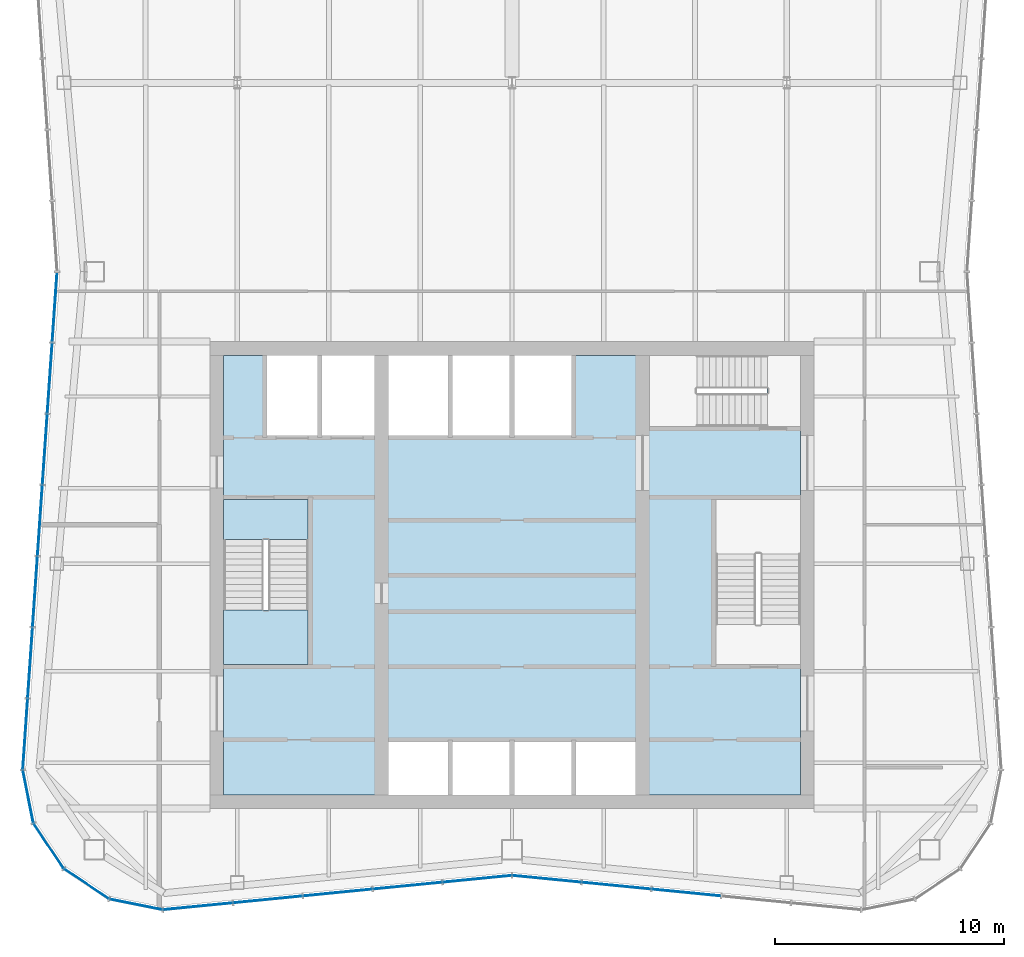
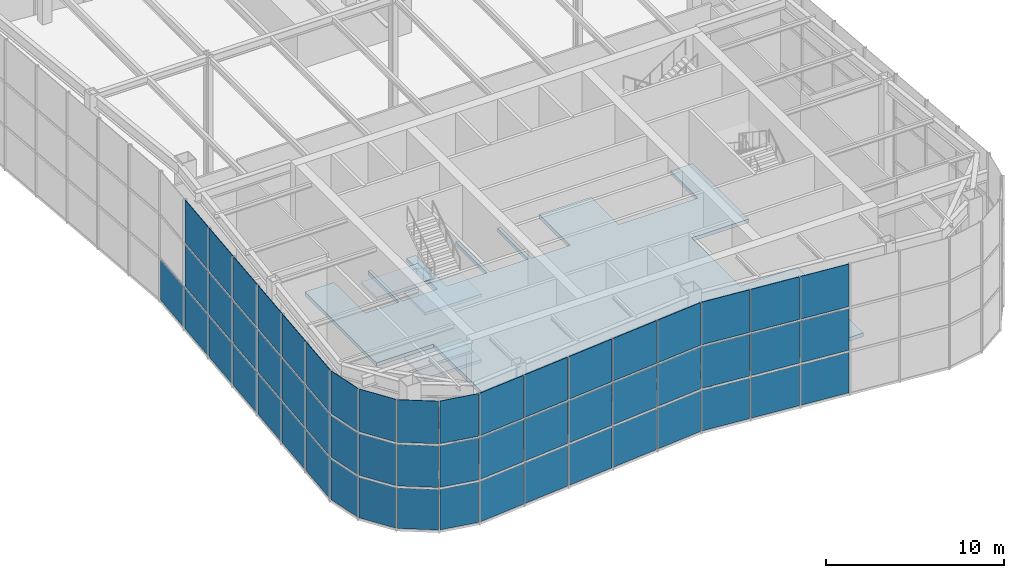
# One storey, part 8 of 16: 55 plates, 4 slabs, 4 elements without a shape of their own.
"""IFC4 building model written with IfcOpenShell, lengths in metres."""

import ifcopenshell
import ifcopenshell.guid

model = None  # the IFC model being written
_history = None  # IfcOwnerHistory: only IFC2X3 demands one
_inside = {}  # id of a spatial element -> (the spatial element, [elements in it])
_under = {}  # id of a project, library or spatial element -> (it, [spatial elements below it])
_declared = {}  # id of a project -> (the project, [libraries it declares])
_typed = {}  # id of a type object -> (the type object, [elements of that type])
_made_of = {}  # id of a material, layer set ... -> (it, [elements and type objects made of it])


def new_model(schema):
    """Start an empty IFC model of exactly this schema.

    Asked for "IFC4X3", IfcOpenShell would pick the latest addendum, in which some entities
    have other attributes; the version numbers below select the first issue.
    IFC2X3 requires an IfcOwnerHistory on every rooted entity: one is made here for all.
    """
    global model, _history
    if schema == "IFC4X3":
        model = ifcopenshell.file(schema_version=(4, 3, 0, 0))
    else:
        model = ifcopenshell.file(schema=schema)
    _inside.clear()
    _under.clear()
    _declared.clear()
    _typed.clear()
    _made_of.clear()
    _history = None
    if model.schema == "IFC2X3":
        org = make("IfcOrganization", Name="unknown")
        user = make(
            "IfcPersonAndOrganization",
            ThePerson=make("IfcPerson", FamilyName="unknown"),
            TheOrganization=org,
        )
        app = make(
            "IfcApplication",
            ApplicationDeveloper=org,
            Version="unknown",
            ApplicationFullName="unknown",
            ApplicationIdentifier="unknown",
        )
        _history = make(
            "IfcOwnerHistory",
            OwningUser=user,
            OwningApplication=app,
            ChangeAction="ADDED",
            CreationDate=0,
        )
    return model


def make(cls, **values):
    """One entity of the class cls with the attributes given. An attribute that is None is left unset."""
    return model.create_entity(
        cls, **{name: value for name, value in values.items() if value is not None}
    )


def rooted(cls, **values):
    """An entity with a GlobalId (a new one), such as an element, a storey or a relation."""
    return make(cls, GlobalId=ifcopenshell.guid.new(), OwnerHistory=_history, **values)


def si_unit(unit_type, name, prefix=None):
    """IfcSIUnit, for example si_unit("LENGTHUNIT", "METRE", prefix="MILLI")."""
    return make("IfcSIUnit", UnitType=unit_type, Prefix=prefix, Name=name)


def assignment(units):
    """IfcUnitAssignment: the units of a project."""
    return None if units is None else make("IfcUnitAssignment", Units=units)


def point(xyz):
    """IfcCartesianPoint."""
    return None if xyz is None else make("IfcCartesianPoint", Coordinates=xyz)


def direction(xyz):
    """IfcDirection."""
    return None if xyz is None else make("IfcDirection", DirectionRatios=xyz)


def frame(location, z_axis=None, x_axis=None):
    """IfcAxis2Placement3D, a coordinate frame: its origin and axes. An axis left out is left unset."""
    return make(
        "IfcAxis2Placement3D",
        Location=point(location),
        Axis=direction(z_axis),
        RefDirection=direction(x_axis),
    )


def frame_2d(location, x_axis=None):
    """IfcAxis2Placement2D, a coordinate frame in the plane: its origin and x axis."""
    return make(
        "IfcAxis2Placement2D", Location=point(location), RefDirection=direction(x_axis)
    )


def origin():
    """The frame at (0, 0, 0) with its axes left unset."""
    return frame((0.0, 0.0, 0.0))


def origin_2d():
    """The frame at (0, 0) in the plane with its x axis left unset."""
    return frame_2d((0.0, 0.0))


def place(relative_to, where):
    """IfcLocalPlacement: puts the frame where relative to a parent placement (None: the world)."""
    return make(
        "IfcLocalPlacement", PlacementRelTo=relative_to, RelativePlacement=where
    )


def context(
    kind, dimensions, precision=None, world=None, true_north=None, identifier=None
):
    """IfcGeometricRepresentationContext, for example the 3D "Model" context."""
    return make(
        "IfcGeometricRepresentationContext",
        ContextIdentifier=identifier,
        ContextType=kind,
        CoordinateSpaceDimension=dimensions,
        Precision=precision,
        WorldCoordinateSystem=world,
        TrueNorth=true_north,
    )


def subcontext(parent, identifier, kind, view, scale=None):
    """IfcGeometricRepresentationSubContext, for example "Body" below "Model"."""
    return make(
        "IfcGeometricRepresentationSubContext",
        ContextIdentifier=identifier,
        ContextType=kind,
        ParentContext=parent,
        TargetScale=scale,
        TargetView=view,
    )


def project(units=None, contexts=None):
    """IfcProject with its units and contexts."""
    return rooted(
        "IfcProject",
        Name="project",
        RepresentationContexts=contexts,
        UnitsInContext=assignment(units),
    )


def spatial(cls, under=None, at=None, **own):
    """A site, building, storey or space (cls), placed at a placement, below another one or the project."""
    s = rooted(cls, ObjectPlacement=at, **own)
    if under is not None:
        _under.setdefault(under.id(), (under, []))[1].append(s)
    return s


def polyline(points):
    """IfcPolyline through the points."""
    return make("IfcPolyline", Points=[point(p) for p in points])


def profile(cls, at=None, kind="AREA", **sizes):
    """A parametric profile (cls). Its sizes go by their IFC names, for example OverallWidth=200.0."""
    return make(cls, ProfileType=kind, Position=at, **sizes)


def rectangle(**sizes):
    """IfcRectangleProfileDef."""
    return profile("IfcRectangleProfileDef", **sizes)


def outline(outer, holes=None, kind="AREA"):
    """IfcArbitraryClosedProfileDef: a profile drawn as a closed curve; with holes, ...WithVoids."""
    if holes is None:
        return make("IfcArbitraryClosedProfileDef", ProfileType=kind, OuterCurve=outer)
    return make(
        "IfcArbitraryProfileDefWithVoids",
        ProfileType=kind,
        OuterCurve=outer,
        InnerCurves=holes,
    )


def extrude(swept, where, along, depth):
    """IfcExtrudedAreaSolid: the profile swept, set in the frame where, extruded along a direction by depth."""
    return make(
        "IfcExtrudedAreaSolid",
        SweptArea=swept,
        Position=where,
        ExtrudedDirection=direction(along),
        Depth=depth,
    )


def shape(context_of_items, identifier, shape_type, items):
    """IfcShapeRepresentation: the items that make up one representation, for example the "Body"."""
    return make(
        "IfcShapeRepresentation",
        ContextOfItems=context_of_items,
        RepresentationIdentifier=identifier,
        RepresentationType=shape_type,
        Items=items,
    )


def material(Name=None, Category=None):
    """IfcMaterial."""
    return make("IfcMaterial", Name=Name, Category=Category)


def layer(
    of_material, thickness, ventilated=None, Name=None, Category=None, Priority=None
):
    """IfcMaterialLayer: one layer of a wall or slab, of a material (None: an air gap)."""
    return make(
        "IfcMaterialLayer",
        Material=of_material,
        LayerThickness=thickness,
        IsVentilated=ventilated,
        Name=Name,
        Category=Category,
        Priority=Priority,
    )


def layer_set(layers, Name=None):
    """IfcMaterialLayerSet."""
    return make("IfcMaterialLayerSet", MaterialLayers=layers, LayerSetName=Name)


def made_of(thing, what):
    """Note that an element or type object is made of a material, layer set ...; save() writes the relation."""
    if what is not None:
        _made_of.setdefault(what.id(), (what, []))[1].append(thing)
    return thing


def type_object(cls, material=None, **own):
    """A type object (cls), such as IfcWallType, which elements share."""
    return made_of(rooted(cls, **own), material)


def element(
    cls,
    number,
    at=None,
    inside=None,
    cuts=None,
    type_object=None,
    material=None,
    context=None,
    identifier="Body",
    shape_type=None,
    held_by="IfcProductDefinitionShape",
    body=None,
    shapes=None,
    **own,
):
    """One element of the class cls, such as IfcWall. Its Tag is "e" and its number.

    at: its placement. inside: the storey or other place that contains it. cuts: it is an
    opening in that element (IfcRelVoidsElement). A single representation is given by context,
    identifier, shape_type and body (its items); several are given by shapes. held_by: the class
    of the entity that holds the representations. save() writes the other relations.
    """
    e = rooted(cls, Tag="e%d" % number, ObjectPlacement=at, **own)
    if body is not None:
        shapes = [shape(context, identifier, shape_type, body)]
    if shapes is not None:
        e.Representation = make(held_by, Representations=shapes)
    if inside is not None:
        _inside.setdefault(inside.id(), (inside, []))[1].append(e)
    if cuts is not None:
        rooted(
            "IfcRelVoidsElement", RelatingBuildingElement=cuts, RelatedOpeningElement=e
        )
    if type_object is not None:
        _typed.setdefault(type_object.id(), (type_object, []))[1].append(e)
    return made_of(e, material)


def aggregate(whole, parts):
    """IfcRelAggregates: a whole, such as a stair, and the parts it consists of."""
    return rooted("IfcRelAggregates", RelatingObject=whole, RelatedObjects=parts)


def save(model, path):
    """Write the relations noted so far, then the file.

    IfcRelAggregates (storeys below a building ...), IfcRelContainedInSpatialStructure (elements
    in a storey), IfcRelDefinesByType, IfcRelAssociatesMaterial and IfcRelDeclares: one each for
    every whole, place, type object, material and project.
    """
    for whole, parts in _under.values():
        aggregate(whole, parts)
    for where, things in _inside.values():
        rooted(
            "IfcRelContainedInSpatialStructure",
            RelatedElements=things,
            RelatingStructure=where,
        )
    for kind, things in _typed.values():
        rooted("IfcRelDefinesByType", RelatedObjects=things, RelatingType=kind)
    for what, things in _made_of.values():
        rooted("IfcRelAssociatesMaterial", RelatedObjects=things, RelatingMaterial=what)
    for by, libraries in _declared.values():
        rooted("IfcRelDeclares", RelatingContext=by, RelatedDefinitions=libraries)
    model.write(path)


model = new_model("IFC4")

# Units and contexts
model_context = context("Model", 3, precision=1e-05, world=origin(), true_north=direction((0.0, 1.0)))
body_context = subcontext(model_context, "Body", "Model", "MODEL_VIEW")
ifc_project = project(units=[si_unit("LENGTHUNIT", "METRE"), si_unit("AREAUNIT", "SQUARE_METRE"), si_unit("VOLUMEUNIT", "CUBIC_METRE"), si_unit("PLANEANGLEUNIT", "RADIAN"), si_unit("MASSUNIT", "GRAM", prefix="KILO")], contexts=[model_context])

# Site, building, storey
site_placement = place(None, origin())
site = spatial("IfcSite", under=ifc_project, at=site_placement, CompositionType="ELEMENT")
building_placement = place(site_placement, origin())
building = spatial("IfcBuilding", under=site, at=building_placement, Name="Verdant Reach Tower", CompositionType="ELEMENT")
storey_placement = place(building_placement, frame((0.0, 0.0, 340.5)))
storey = spatial("IfcBuildingStorey", under=building, at=storey_placement, Name="L78 Damper", CompositionType="ELEMENT", Elevation=340.5)

# Stair, slabs
ifc_material_1 = material(Name="Concrete C40/50", Category="concrete")
stair_type = type_object("IfcStairType", Name="CO-STAIR", PredefinedType="HALF_TURN_STAIR", material=ifc_material_1)
stair_placement = place(storey_placement, origin())
stair = element("IfcStair", 1, at=stair_placement, inside=storey, type_object=stair_type, Name="L78 Damper Exit stair 1", PredefinedType="HALF_TURN_STAIR")
ifc_layer_1 = layer(ifc_material_1, 0.199951171875)
ifc_layer_set_1 = layer_set([ifc_layer_1], Name="CO-STAIR-LANDING")
slab_type_1 = type_object("IfcSlabType", Name="CO-STAIR-LANDING", PredefinedType="LANDING", material=ifc_layer_set_1)
slab_1_placement = place(storey_placement, frame((0.0, 0.0, 2.050048828125)))
slab_1 = element("IfcSlab", 2, at=slab_1_placement, type_object=slab_type_1, Name="ST-1 landing 1", PredefinedType="LANDING", context=body_context, shape_type="SweptSolid", body=[
    extrude(outline(polyline([(-12.60009765625, 26.469970703125), (-12.60009765625, 24.10009765625), (-8.89990234375, 24.10009765625), (-8.89990234375, 26.469970703125), (-12.60009765625, 26.469970703125)])), origin(), (0.0, 0.0, 1.0), 0.199951171875),
])
slab_2_placement = place(storey_placement, frame((0.0, 0.0, 4.300048828125)))
slab_2 = element("IfcSlab", 3, at=slab_2_placement, type_object=slab_type_1, Name="ST-1 landing 2", PredefinedType="LANDING", context=body_context, shape_type="SweptSolid", body=[
    extrude(outline(polyline([(-12.60009765625, 31.300048828125), (-12.60009765625, 29.550048828125), (-8.89990234375, 29.550048828125), (-8.89990234375, 31.300048828125), (-12.60009765625, 31.300048828125)])), origin(), (0.0, 0.0, 1.0), 0.199951171875),
])
slab_3_placement = place(storey_placement, frame((0.0, 0.0, 6.550048828125)))
slab_3 = element("IfcSlab", 4, at=slab_3_placement, type_object=slab_type_1, Name="ST-1 landing 3", PredefinedType="LANDING", context=body_context, shape_type="SweptSolid", body=[
    extrude(outline(polyline([(-12.60009765625, 26.469970703125), (-12.60009765625, 24.10009765625), (-8.89990234375, 24.10009765625), (-8.89990234375, 26.469970703125), (-12.60009765625, 26.469970703125)])), origin(), (0.0, 0.0, 1.0), 0.199951171875),
])
aggregate(stair, [slab_1, slab_2, slab_3])

# Curtain wall, plates
ifc_material_2 = material(Name="Anodised aluminium", Category="aluminium")
curtain_wall_type = type_object("IfcCurtainWallType", Name="EN-CW SYSTEM CROWN DAMPER", PredefinedType="NOTDEFINED", material=ifc_material_2)
curtain_wall_1_placement = place(storey_placement, origin())
curtain_wall_1 = element("IfcCurtainWall", 5, at=curtain_wall_1_placement, inside=storey, type_object=curtain_wall_type, Name="Curtain wall west, L78", PredefinedType="NOTDEFINED")
ifc_material_3 = material(Name="Clear laminated glass", Category="glass")
ifc_layer_2 = layer(ifc_material_3, 0.035888671875)
ifc_layer_set_2 = layer_set([ifc_layer_2], Name="EN-PANEL CLEAR")
plate_type = type_object("IfcPlateType", Name="EN-PANEL CLEAR", PredefinedType="CURTAIN_PANEL", material=ifc_layer_set_2)
plate_1_placement = place(storey_placement, frame((-19.97607421875, 39.700439453125, -0.199951171875), z_axis=(0.0, 0.0, 1.0), x_axis=(-0.068892655483, -0.997624078509, 0.0)))
plate_1 = element("IfcPlate", 6, at=plate_1_placement, type_object=plate_type, Name="Glass panel west face part 2 1.1, L78", PredefinedType="CURTAIN_PANEL", context=body_context, shape_type="SweptSolid", body=[
    extrude(rectangle(XDim=3.0302734375, YDim=0.035888671875, at=origin_2d()), origin(), (0.0, 0.0, 1.0), 2.77490234375),
])
plate_2_placement = place(storey_placement, frame((-20.190185546875, 36.597412109375, -0.199951171875), z_axis=(0.0, 0.0, 1.0), x_axis=(-0.068802091615, -0.997630328423, 0.0)))
plate_2 = element("IfcPlate", 7, at=plate_2_placement, type_object=plate_type, Name="Glass panel west face part 2 2.1, L78", PredefinedType="CURTAIN_PANEL", context=body_context, shape_type="SweptSolid", body=[
    extrude(rectangle(XDim=3.03857421875, YDim=0.035888671875, at=origin_2d()), origin(), (0.0, 0.0, 1.0), 2.77490234375),
])
plate_3_placement = place(storey_placement, frame((-20.190185546875, 36.597412109375, 2.724853515625), z_axis=(0.0, 0.0, 1.0), x_axis=(-0.068802091615, -0.997630328423, 0.0)))
plate_3 = element("IfcPlate", 8, at=plate_3_placement, type_object=plate_type, Name="Glass panel west face part 2 2.2, L78", PredefinedType="CURTAIN_PANEL", context=body_context, shape_type="SweptSolid", body=[
    extrude(rectangle(XDim=3.03857421875, YDim=0.035888671875, at=origin_2d()), origin(), (0.0, 0.0, 1.0), 2.85009765625),
])
plate_4_placement = place(storey_placement, frame((-20.190185546875, 36.597412109375, 5.72509765625), z_axis=(0.0, 0.0, 1.0), x_axis=(-0.068802091615, -0.997630328423, 0.0)))
plate_4 = element("IfcPlate", 9, at=plate_4_placement, type_object=plate_type, Name="Glass panel west face part 2 2.3, L78", PredefinedType="CURTAIN_PANEL", context=body_context, shape_type="SweptSolid", body=[
    extrude(rectangle(XDim=3.03857421875, YDim=0.035888671875, at=origin_2d()), origin(), (0.0, 0.0, 1.0), 2.925048828125),
])
plate_5_placement = place(storey_placement, frame((-20.404541015625, 33.490234375, -0.199951171875), z_axis=(0.0, 0.0, 1.0), x_axis=(-0.068802091615, -0.997630328423, 0.0)))
plate_5 = element("IfcPlate", 10, at=plate_5_placement, type_object=plate_type, Name="Glass panel west face part 2 3.1, L78", PredefinedType="CURTAIN_PANEL", context=body_context, shape_type="SweptSolid", body=[
    extrude(rectangle(XDim=3.03857421875, YDim=0.035888671875, at=origin_2d()), origin(), (0.0, 0.0, 1.0), 2.77490234375),
])
plate_6_placement = place(storey_placement, frame((-20.404541015625, 33.490234375, 2.724853515625), z_axis=(0.0, 0.0, 1.0), x_axis=(-0.068802091615, -0.997630328423, 0.0)))
plate_6 = element("IfcPlate", 11, at=plate_6_placement, type_object=plate_type, Name="Glass panel west face part 2 3.2, L78", PredefinedType="CURTAIN_PANEL", context=body_context, shape_type="SweptSolid", body=[
    extrude(rectangle(XDim=3.03857421875, YDim=0.035888671875, at=origin_2d()), origin(), (0.0, 0.0, 1.0), 2.85009765625),
])
plate_7_placement = place(storey_placement, frame((-20.404541015625, 33.490234375, 5.72509765625), z_axis=(0.0, 0.0, 1.0), x_axis=(-0.068802091615, -0.997630328423, 0.0)))
plate_7 = element("IfcPlate", 12, at=plate_7_placement, type_object=plate_type, Name="Glass panel west face part 2 3.3, L78", PredefinedType="CURTAIN_PANEL", context=body_context, shape_type="SweptSolid", body=[
    extrude(rectangle(XDim=3.03857421875, YDim=0.035888671875, at=origin_2d()), origin(), (0.0, 0.0, 1.0), 2.925048828125),
])
plate_8_placement = place(storey_placement, frame((-20.61865234375, 30.38330078125, -0.199951171875), z_axis=(0.0, 0.0, 1.0), x_axis=(-0.068802091615, -0.997630328423, 0.0)))
plate_8 = element("IfcPlate", 13, at=plate_8_placement, type_object=plate_type, Name="Glass panel west face part 2 4.1, L78", PredefinedType="CURTAIN_PANEL", context=body_context, shape_type="SweptSolid", body=[
    extrude(rectangle(XDim=3.03857421875, YDim=0.035888671875, at=origin_2d()), origin(), (0.0, 0.0, 1.0), 2.77490234375),
])
plate_9_placement = place(storey_placement, frame((-20.61865234375, 30.38330078125, 2.724853515625), z_axis=(0.0, 0.0, 1.0), x_axis=(-0.068802091615, -0.997630328423, 0.0)))
plate_9 = element("IfcPlate", 14, at=plate_9_placement, type_object=plate_type, Name="Glass panel west face part 2 4.2, L78", PredefinedType="CURTAIN_PANEL", context=body_context, shape_type="SweptSolid", body=[
    extrude(rectangle(XDim=3.03857421875, YDim=0.035888671875, at=origin_2d()), origin(), (0.0, 0.0, 1.0), 2.85009765625),
])
plate_10_placement = place(storey_placement, frame((-20.61865234375, 30.38330078125, 5.72509765625), z_axis=(0.0, 0.0, 1.0), x_axis=(-0.068802091615, -0.997630328423, 0.0)))
plate_10 = element("IfcPlate", 15, at=plate_10_placement, type_object=plate_type, Name="Glass panel west face part 2 4.3, L78", PredefinedType="CURTAIN_PANEL", context=body_context, shape_type="SweptSolid", body=[
    extrude(rectangle(XDim=3.03857421875, YDim=0.035888671875, at=origin_2d()), origin(), (0.0, 0.0, 1.0), 2.925048828125),
])
plate_11_placement = place(storey_placement, frame((-20.8330078125, 27.276123046875, -0.199951171875), z_axis=(0.0, 0.0, 1.0), x_axis=(-0.068802091615, -0.997630328423, 0.0)))
plate_11 = element("IfcPlate", 16, at=plate_11_placement, type_object=plate_type, Name="Glass panel west face part 2 5.1, L78", PredefinedType="CURTAIN_PANEL", context=body_context, shape_type="SweptSolid", body=[
    extrude(rectangle(XDim=3.03857421875, YDim=0.035888671875, at=origin_2d()), origin(), (0.0, 0.0, 1.0), 2.77490234375),
])
plate_12_placement = place(storey_placement, frame((-20.8330078125, 27.276123046875, 2.724853515625), z_axis=(0.0, 0.0, 1.0), x_axis=(-0.068802091615, -0.997630328423, 0.0)))
plate_12 = element("IfcPlate", 17, at=plate_12_placement, type_object=plate_type, Name="Glass panel west face part 2 5.2, L78", PredefinedType="CURTAIN_PANEL", context=body_context, shape_type="SweptSolid", body=[
    extrude(rectangle(XDim=3.03857421875, YDim=0.035888671875, at=origin_2d()), origin(), (0.0, 0.0, 1.0), 2.85009765625),
])
plate_13_placement = place(storey_placement, frame((-20.8330078125, 27.276123046875, 5.72509765625), z_axis=(0.0, 0.0, 1.0), x_axis=(-0.068802091615, -0.997630328423, 0.0)))
plate_13 = element("IfcPlate", 18, at=plate_13_placement, type_object=plate_type, Name="Glass panel west face part 2 5.3, L78", PredefinedType="CURTAIN_PANEL", context=body_context, shape_type="SweptSolid", body=[
    extrude(rectangle(XDim=3.03857421875, YDim=0.035888671875, at=origin_2d()), origin(), (0.0, 0.0, 1.0), 2.925048828125),
])
plate_14_placement = place(storey_placement, frame((-21.04736328125, 24.1689453125, -0.199951171875), z_axis=(0.0, 0.0, 1.0), x_axis=(-0.068802091615, -0.997630328423, 0.0)))
plate_14 = element("IfcPlate", 19, at=plate_14_placement, type_object=plate_type, Name="Glass panel west face part 2 6.1, L78", PredefinedType="CURTAIN_PANEL", context=body_context, shape_type="SweptSolid", body=[
    extrude(rectangle(XDim=3.03857421875, YDim=0.035888671875, at=origin_2d()), origin(), (0.0, 0.0, 1.0), 2.77490234375),
])
plate_15_placement = place(storey_placement, frame((-21.04736328125, 24.1689453125, 2.724853515625), z_axis=(0.0, 0.0, 1.0), x_axis=(-0.068802091615, -0.997630328423, 0.0)))
plate_15 = element("IfcPlate", 20, at=plate_15_placement, type_object=plate_type, Name="Glass panel west face part 2 6.2, L78", PredefinedType="CURTAIN_PANEL", context=body_context, shape_type="SweptSolid", body=[
    extrude(rectangle(XDim=3.03857421875, YDim=0.035888671875, at=origin_2d()), origin(), (0.0, 0.0, 1.0), 2.85009765625),
])
plate_16_placement = place(storey_placement, frame((-21.04736328125, 24.1689453125, 5.72509765625), z_axis=(0.0, 0.0, 1.0), x_axis=(-0.068802091615, -0.997630328423, 0.0)))
plate_16 = element("IfcPlate", 21, at=plate_16_placement, type_object=plate_type, Name="Glass panel west face part 2 6.3, L78", PredefinedType="CURTAIN_PANEL", context=body_context, shape_type="SweptSolid", body=[
    extrude(rectangle(XDim=3.03857421875, YDim=0.035888671875, at=origin_2d()), origin(), (0.0, 0.0, 1.0), 2.925048828125),
])
plate_17_placement = place(storey_placement, frame((-21.261474609375, 21.053955078125, -0.199951171875), z_axis=(0.0, 0.0, 1.0), x_axis=(-0.068469163133, -0.997653233193, 0.0)))
plate_17 = element("IfcPlate", 22, at=plate_17_placement, type_object=plate_type, Name="Glass panel west face part 2 7.1, L78", PredefinedType="CURTAIN_PANEL", context=body_context, shape_type="SweptSolid", body=[
    extrude(rectangle(XDim=3.05419921875, YDim=0.035888671875, at=origin_2d()), origin(), (0.0, 0.0, 1.0), 2.77490234375),
])
plate_18_placement = place(storey_placement, frame((-21.261474609375, 21.053955078125, 2.724853515625), z_axis=(0.0, 0.0, 1.0), x_axis=(-0.068469163133, -0.997653233193, 0.0)))
plate_18 = element("IfcPlate", 23, at=plate_18_placement, type_object=plate_type, Name="Glass panel west face part 2 7.2, L78", PredefinedType="CURTAIN_PANEL", context=body_context, shape_type="SweptSolid", body=[
    extrude(rectangle(XDim=3.05419921875, YDim=0.035888671875, at=origin_2d()), origin(), (0.0, 0.0, 1.0), 2.85009765625),
])
plate_19_placement = place(storey_placement, frame((-21.261474609375, 21.053955078125, 5.72509765625), z_axis=(0.0, 0.0, 1.0), x_axis=(-0.068469163133, -0.997653233193, 0.0)))
plate_19 = element("IfcPlate", 24, at=plate_19_placement, type_object=plate_type, Name="Glass panel west face part 2 7.3, L78", PredefinedType="CURTAIN_PANEL", context=body_context, shape_type="SweptSolid", body=[
    extrude(rectangle(XDim=3.05419921875, YDim=0.035888671875, at=origin_2d()), origin(), (0.0, 0.0, 1.0), 2.925048828125),
])
aggregate(curtain_wall_1, [plate_1, plate_2, plate_3, plate_4, plate_5, plate_6, plate_7, plate_8, plate_9, plate_10, plate_11, plate_12, plate_13, plate_14, plate_15, plate_16, plate_17, plate_18, plate_19])

curtain_wall_2_placement = place(storey_placement, origin())
curtain_wall_2 = element("IfcCurtainWall", 25, at=curtain_wall_2_placement, inside=storey, type_object=curtain_wall_type, Name="Curtain wall south-west corner, L78", PredefinedType="NOTDEFINED")
plate_20_placement = place(storey_placement, frame((-21.135986328125, 18.325439453125, -0.199951171875), z_axis=(0.0, 0.0, 1.0), x_axis=(0.195592962334, -0.980685165119, 0.0)))
plate_20 = element("IfcPlate", 26, at=plate_20_placement, type_object=plate_type, Name="Glass panel south-west corner 1.1, L78", PredefinedType="CURTAIN_PANEL", context=body_context, shape_type="SweptSolid", body=[
    extrude(rectangle(XDim=2.303955078125, YDim=0.035888671875, at=origin_2d()), origin(), (0.0, 0.0, 1.0), 2.77490234375),
])
plate_21_placement = place(storey_placement, frame((-21.135986328125, 18.325439453125, 2.724853515625), z_axis=(0.0, 0.0, 1.0), x_axis=(0.195592962334, -0.980685165119, 0.0)))
plate_21 = element("IfcPlate", 27, at=plate_21_placement, type_object=plate_type, Name="Glass panel south-west corner 1.2, L78", PredefinedType="CURTAIN_PANEL", context=body_context, shape_type="SweptSolid", body=[
    extrude(rectangle(XDim=2.303955078125, YDim=0.035888671875, at=origin_2d()), origin(), (0.0, 0.0, 1.0), 2.85009765625),
])
plate_22_placement = place(storey_placement, frame((-21.135986328125, 18.325439453125, 5.72509765625), z_axis=(0.0, 0.0, 1.0), x_axis=(0.195592962334, -0.980685165119, 0.0)))
plate_22 = element("IfcPlate", 28, at=plate_22_placement, type_object=plate_type, Name="Glass panel south-west corner 1.3, L78", PredefinedType="CURTAIN_PANEL", context=body_context, shape_type="SweptSolid", body=[
    extrude(rectangle(XDim=2.303955078125, YDim=0.035888671875, at=origin_2d()), origin(), (0.0, 0.0, 1.0), 2.925048828125),
])
plate_23_placement = place(storey_placement, frame((-20.239990234375, 16.165771484375, -0.199951171875), z_axis=(0.0, 0.0, 1.0), x_axis=(0.555596466265, -0.83145208321, 0.0)))
plate_23 = element("IfcPlate", 29, at=plate_23_placement, type_object=plate_type, Name="Glass panel south-west corner 2.1, L78", PredefinedType="CURTAIN_PANEL", context=body_context, shape_type="SweptSolid", body=[
    extrude(rectangle(XDim=2.3115234375, YDim=0.035888671875, at=origin_2d()), origin(), (0.0, 0.0, 1.0), 2.77490234375),
])
plate_24_placement = place(storey_placement, frame((-20.239990234375, 16.165771484375, 2.724853515625), z_axis=(0.0, 0.0, 1.0), x_axis=(0.555596466265, -0.83145208321, 0.0)))
plate_24 = element("IfcPlate", 30, at=plate_24_placement, type_object=plate_type, Name="Glass panel south-west corner 2.2, L78", PredefinedType="CURTAIN_PANEL", context=body_context, shape_type="SweptSolid", body=[
    extrude(rectangle(XDim=2.3115234375, YDim=0.035888671875, at=origin_2d()), origin(), (0.0, 0.0, 1.0), 2.85009765625),
])
plate_25_placement = place(storey_placement, frame((-20.239990234375, 16.165771484375, 5.72509765625), z_axis=(0.0, 0.0, 1.0), x_axis=(0.555596466265, -0.83145208321, 0.0)))
plate_25 = element("IfcPlate", 31, at=plate_25_placement, type_object=plate_type, Name="Glass panel south-west corner 2.3, L78", PredefinedType="CURTAIN_PANEL", context=body_context, shape_type="SweptSolid", body=[
    extrude(rectangle(XDim=2.3115234375, YDim=0.035888671875, at=origin_2d()), origin(), (0.0, 0.0, 1.0), 2.925048828125),
])
plate_26_placement = place(storey_placement, frame((-18.584228515625, 14.510009765625, -0.199951171875), z_axis=(0.0, 0.0, 1.0), x_axis=(0.83145208321, -0.555596466265, 0.0)))
plate_26 = element("IfcPlate", 32, at=plate_26_placement, type_object=plate_type, Name="Glass panel south-west corner 3.1, L78", PredefinedType="CURTAIN_PANEL", context=body_context, shape_type="SweptSolid", body=[
    extrude(rectangle(XDim=2.3115234375, YDim=0.035888671875, at=origin_2d()), origin(), (0.0, 0.0, 1.0), 2.77490234375),
])
plate_27_placement = place(storey_placement, frame((-18.584228515625, 14.510009765625, 2.724853515625), z_axis=(0.0, 0.0, 1.0), x_axis=(0.83145208321, -0.555596466265, 0.0)))
plate_27 = element("IfcPlate", 33, at=plate_27_placement, type_object=plate_type, Name="Glass panel south-west corner 3.2, L78", PredefinedType="CURTAIN_PANEL", context=body_context, shape_type="SweptSolid", body=[
    extrude(rectangle(XDim=2.3115234375, YDim=0.035888671875, at=origin_2d()), origin(), (0.0, 0.0, 1.0), 2.85009765625),
])
plate_28_placement = place(storey_placement, frame((-18.584228515625, 14.510009765625, 5.72509765625), z_axis=(0.0, 0.0, 1.0), x_axis=(0.83145208321, -0.555596466265, 0.0)))
plate_28 = element("IfcPlate", 34, at=plate_28_placement, type_object=plate_type, Name="Glass panel south-west corner 3.3, L78", PredefinedType="CURTAIN_PANEL", context=body_context, shape_type="SweptSolid", body=[
    extrude(rectangle(XDim=2.3115234375, YDim=0.035888671875, at=origin_2d()), origin(), (0.0, 0.0, 1.0), 2.925048828125),
])
plate_29_placement = place(storey_placement, frame((-16.423828125, 13.614013671875, -0.199951171875), z_axis=(0.0, 0.0, 1.0), x_axis=(0.980705120874, -0.195492879387, 0.0)))
plate_29 = element("IfcPlate", 35, at=plate_29_placement, type_object=plate_type, Name="Glass panel south-west corner 4.1, L78", PredefinedType="CURTAIN_PANEL", context=body_context, shape_type="SweptSolid", body=[
    extrude(rectangle(XDim=2.3056640625, YDim=0.035888671875, at=origin_2d()), origin(), (0.0, 0.0, 1.0), 2.77490234375),
])
plate_30_placement = place(storey_placement, frame((-16.423828125, 13.614013671875, 2.724853515625), z_axis=(0.0, 0.0, 1.0), x_axis=(0.980705120874, -0.195492879387, 0.0)))
plate_30 = element("IfcPlate", 36, at=plate_30_placement, type_object=plate_type, Name="Glass panel south-west corner 4.2, L78", PredefinedType="CURTAIN_PANEL", context=body_context, shape_type="SweptSolid", body=[
    extrude(rectangle(XDim=2.3056640625, YDim=0.035888671875, at=origin_2d()), origin(), (0.0, 0.0, 1.0), 2.85009765625),
])
plate_31_placement = place(storey_placement, frame((-16.423828125, 13.614013671875, 5.72509765625), z_axis=(0.0, 0.0, 1.0), x_axis=(0.980705120874, -0.195492879387, 0.0)))
plate_31 = element("IfcPlate", 37, at=plate_31_placement, type_object=plate_type, Name="Glass panel south-west corner 4.3, L78", PredefinedType="CURTAIN_PANEL", context=body_context, shape_type="SweptSolid", body=[
    extrude(rectangle(XDim=2.3056640625, YDim=0.035888671875, at=origin_2d()), origin(), (0.0, 0.0, 1.0), 2.925048828125),
])
aggregate(curtain_wall_2, [plate_20, plate_21, plate_22, plate_23, plate_24, plate_25, plate_26, plate_27, plate_28, plate_29, plate_30, plate_31])

curtain_wall_3_placement = place(storey_placement, origin())
curtain_wall_3 = element("IfcCurtainWall", 38, at=curtain_wall_3_placement, inside=storey, type_object=curtain_wall_type, Name="Curtain wall south, L78", PredefinedType="NOTDEFINED")
plate_32_placement = place(storey_placement, frame((-13.72216796875, 13.53125, -0.199951171875), z_axis=(0.0, 0.0, 1.0), x_axis=(0.995238191716, 0.097472774402, 0.0)))
plate_32 = element("IfcPlate", 39, at=plate_32_placement, type_object=plate_type, Name="Glass panel south face part 1 1.1, L78", PredefinedType="CURTAIN_PANEL", context=body_context, shape_type="SweptSolid", body=[
    extrude(rectangle(XDim=3.006103515625, YDim=0.035888671875, at=origin_2d()), origin(), (0.0, 0.0, 1.0), 2.77490234375),
])
plate_33_placement = place(storey_placement, frame((-13.72216796875, 13.53125, 2.724853515625), z_axis=(0.0, 0.0, 1.0), x_axis=(0.995238191716, 0.097472774402, 0.0)))
plate_33 = element("IfcPlate", 40, at=plate_33_placement, type_object=plate_type, Name="Glass panel south face part 1 1.2, L78", PredefinedType="CURTAIN_PANEL", context=body_context, shape_type="SweptSolid", body=[
    extrude(rectangle(XDim=3.006103515625, YDim=0.035888671875, at=origin_2d()), origin(), (0.0, 0.0, 1.0), 2.85009765625),
])
plate_34_placement = place(storey_placement, frame((-13.72216796875, 13.53125, 5.72509765625), z_axis=(0.0, 0.0, 1.0), x_axis=(0.995238191716, 0.097472774402, 0.0)))
plate_34 = element("IfcPlate", 41, at=plate_34_placement, type_object=plate_type, Name="Glass panel south face part 1 1.3, L78", PredefinedType="CURTAIN_PANEL", context=body_context, shape_type="SweptSolid", body=[
    extrude(rectangle(XDim=3.006103515625, YDim=0.035888671875, at=origin_2d()), origin(), (0.0, 0.0, 1.0), 2.925048828125),
])
plate_35_placement = place(storey_placement, frame((-10.663330078125, 13.83154296875, -0.199951171875), z_axis=(0.0, 0.0, 1.0), x_axis=(0.995197410875, 0.09788826992, 0.0)))
plate_35 = element("IfcPlate", 42, at=plate_35_placement, type_object=plate_type, Name="Glass panel south face part 1 2.1, L78", PredefinedType="CURTAIN_PANEL", context=body_context, shape_type="SweptSolid", body=[
    extrude(rectangle(XDim=2.98876953125, YDim=0.035888671875, at=origin_2d()), origin(), (0.0, 0.0, 1.0), 2.77490234375),
])
plate_36_placement = place(storey_placement, frame((-10.663330078125, 13.83154296875, 2.724853515625), z_axis=(0.0, 0.0, 1.0), x_axis=(0.995197410875, 0.09788826992, 0.0)))
plate_36 = element("IfcPlate", 43, at=plate_36_placement, type_object=plate_type, Name="Glass panel south face part 1 2.2, L78", PredefinedType="CURTAIN_PANEL", context=body_context, shape_type="SweptSolid", body=[
    extrude(rectangle(XDim=2.98876953125, YDim=0.035888671875, at=origin_2d()), origin(), (0.0, 0.0, 1.0), 2.85009765625),
])
plate_37_placement = place(storey_placement, frame((-10.663330078125, 13.83154296875, 5.72509765625), z_axis=(0.0, 0.0, 1.0), x_axis=(0.995197410875, 0.09788826992, 0.0)))
plate_37 = element("IfcPlate", 44, at=plate_37_placement, type_object=plate_type, Name="Glass panel south face part 1 2.3, L78", PredefinedType="CURTAIN_PANEL", context=body_context, shape_type="SweptSolid", body=[
    extrude(rectangle(XDim=2.98876953125, YDim=0.035888671875, at=origin_2d()), origin(), (0.0, 0.0, 1.0), 2.925048828125),
])
plate_38_placement = place(storey_placement, frame((-7.61328125, 14.131591796875, -0.199951171875), z_axis=(0.0, 0.0, 1.0), x_axis=(0.995197410875, 0.09788826992, 0.0)))
plate_38 = element("IfcPlate", 45, at=plate_38_placement, type_object=plate_type, Name="Glass panel south face part 1 3.1, L78", PredefinedType="CURTAIN_PANEL", context=body_context, shape_type="SweptSolid", body=[
    extrude(rectangle(XDim=2.98876953125, YDim=0.035888671875, at=origin_2d()), origin(), (0.0, 0.0, 1.0), 2.77490234375),
])
plate_39_placement = place(storey_placement, frame((-7.61328125, 14.131591796875, 2.724853515625), z_axis=(0.0, 0.0, 1.0), x_axis=(0.995197410875, 0.09788826992, 0.0)))
plate_39 = element("IfcPlate", 46, at=plate_39_placement, type_object=plate_type, Name="Glass panel south face part 1 3.2, L78", PredefinedType="CURTAIN_PANEL", context=body_context, shape_type="SweptSolid", body=[
    extrude(rectangle(XDim=2.98876953125, YDim=0.035888671875, at=origin_2d()), origin(), (0.0, 0.0, 1.0), 2.85009765625),
])
plate_40_placement = place(storey_placement, frame((-7.61328125, 14.131591796875, 5.72509765625), z_axis=(0.0, 0.0, 1.0), x_axis=(0.995197410875, 0.09788826992, 0.0)))
plate_40 = element("IfcPlate", 47, at=plate_40_placement, type_object=plate_type, Name="Glass panel south face part 1 3.3, L78", PredefinedType="CURTAIN_PANEL", context=body_context, shape_type="SweptSolid", body=[
    extrude(rectangle(XDim=2.98876953125, YDim=0.035888671875, at=origin_2d()), origin(), (0.0, 0.0, 1.0), 2.925048828125),
])
plate_41_placement = place(storey_placement, frame((-4.563232421875, 14.431640625, -0.199951171875), z_axis=(0.0, 0.0, 1.0), x_axis=(0.995197410875, 0.09788826992, 0.0)))
plate_41 = element("IfcPlate", 48, at=plate_41_placement, type_object=plate_type, Name="Glass panel south face part 1 4.1, L78", PredefinedType="CURTAIN_PANEL", context=body_context, shape_type="SweptSolid", body=[
    extrude(rectangle(XDim=2.98876953125, YDim=0.035888671875, at=origin_2d()), origin(), (0.0, 0.0, 1.0), 2.77490234375),
])
plate_42_placement = place(storey_placement, frame((-4.563232421875, 14.431640625, 2.724853515625), z_axis=(0.0, 0.0, 1.0), x_axis=(0.995197410875, 0.09788826992, 0.0)))
plate_42 = element("IfcPlate", 49, at=plate_42_placement, type_object=plate_type, Name="Glass panel south face part 1 4.2, L78", PredefinedType="CURTAIN_PANEL", context=body_context, shape_type="SweptSolid", body=[
    extrude(rectangle(XDim=2.98876953125, YDim=0.035888671875, at=origin_2d()), origin(), (0.0, 0.0, 1.0), 2.85009765625),
])
plate_43_placement = place(storey_placement, frame((-4.563232421875, 14.431640625, 5.72509765625), z_axis=(0.0, 0.0, 1.0), x_axis=(0.995197410875, 0.09788826992, 0.0)))
plate_43 = element("IfcPlate", 50, at=plate_43_placement, type_object=plate_type, Name="Glass panel south face part 1 4.3, L78", PredefinedType="CURTAIN_PANEL", context=body_context, shape_type="SweptSolid", body=[
    extrude(rectangle(XDim=2.98876953125, YDim=0.035888671875, at=origin_2d()), origin(), (0.0, 0.0, 1.0), 2.925048828125),
])
plate_44_placement = place(storey_placement, frame((-1.519287109375, 14.731201171875, -0.199951171875), z_axis=(0.0, 0.0, 1.0), x_axis=(0.995179069607, 0.098074560493, 0.0)))
plate_44 = element("IfcPlate", 51, at=plate_44_placement, type_object=plate_type, Name="Glass panel south face part 1 5.1, L78", PredefinedType="CURTAIN_PANEL", context=body_context, shape_type="SweptSolid", body=[
    extrude(rectangle(XDim=2.97705078125, YDim=0.035888671875, at=origin_2d()), origin(), (0.0, 0.0, 1.0), 2.77490234375),
])
plate_45_placement = place(storey_placement, frame((-1.519287109375, 14.731201171875, 2.724853515625), z_axis=(0.0, 0.0, 1.0), x_axis=(0.995179069607, 0.098074560493, 0.0)))
plate_45 = element("IfcPlate", 52, at=plate_45_placement, type_object=plate_type, Name="Glass panel south face part 1 5.2, L78", PredefinedType="CURTAIN_PANEL", context=body_context, shape_type="SweptSolid", body=[
    extrude(rectangle(XDim=2.97705078125, YDim=0.035888671875, at=origin_2d()), origin(), (0.0, 0.0, 1.0), 2.85009765625),
])
plate_46_placement = place(storey_placement, frame((-1.519287109375, 14.731201171875, 5.72509765625), z_axis=(0.0, 0.0, 1.0), x_axis=(0.995179069607, 0.098074560493, 0.0)))
plate_46 = element("IfcPlate", 53, at=plate_46_placement, type_object=plate_type, Name="Glass panel south face part 1 5.3, L78", PredefinedType="CURTAIN_PANEL", context=body_context, shape_type="SweptSolid", body=[
    extrude(rectangle(XDim=2.97705078125, YDim=0.035888671875, at=origin_2d()), origin(), (0.0, 0.0, 1.0), 2.925048828125),
])
plate_47_placement = place(storey_placement, frame((1.519287109375, 14.731201171875, -0.199951171875), z_axis=(0.0, 0.0, 1.0), x_axis=(0.995179069607, -0.098074560493, 0.0)))
plate_47 = element("IfcPlate", 54, at=plate_47_placement, type_object=plate_type, Name="Glass panel south face part 2 1.1, L78", PredefinedType="CURTAIN_PANEL", context=body_context, shape_type="SweptSolid", body=[
    extrude(rectangle(XDim=2.97705078125, YDim=0.035888671875, at=origin_2d()), origin(), (0.0, 0.0, 1.0), 2.77490234375),
])
plate_48_placement = place(storey_placement, frame((1.519287109375, 14.731201171875, 2.724853515625), z_axis=(0.0, 0.0, 1.0), x_axis=(0.995179069607, -0.098074560493, 0.0)))
plate_48 = element("IfcPlate", 55, at=plate_48_placement, type_object=plate_type, Name="Glass panel south face part 2 1.2, L78", PredefinedType="CURTAIN_PANEL", context=body_context, shape_type="SweptSolid", body=[
    extrude(rectangle(XDim=2.97705078125, YDim=0.035888671875, at=origin_2d()), origin(), (0.0, 0.0, 1.0), 2.85009765625),
])
plate_49_placement = place(storey_placement, frame((1.519287109375, 14.731201171875, 5.72509765625), z_axis=(0.0, 0.0, 1.0), x_axis=(0.995179069607, -0.098074560493, 0.0)))
plate_49 = element("IfcPlate", 56, at=plate_49_placement, type_object=plate_type, Name="Glass panel south face part 2 1.3, L78", PredefinedType="CURTAIN_PANEL", context=body_context, shape_type="SweptSolid", body=[
    extrude(rectangle(XDim=2.97705078125, YDim=0.035888671875, at=origin_2d()), origin(), (0.0, 0.0, 1.0), 2.925048828125),
])
plate_50_placement = place(storey_placement, frame((4.563232421875, 14.431640625, -0.199951171875), z_axis=(0.0, 0.0, 1.0), x_axis=(0.995197410875, -0.09788826992, 0.0)))
plate_50 = element("IfcPlate", 57, at=plate_50_placement, type_object=plate_type, Name="Glass panel south face part 2 2.1, L78", PredefinedType="CURTAIN_PANEL", context=body_context, shape_type="SweptSolid", body=[
    extrude(rectangle(XDim=2.98876953125, YDim=0.035888671875, at=origin_2d()), origin(), (0.0, 0.0, 1.0), 2.77490234375),
])
plate_51_placement = place(storey_placement, frame((4.563232421875, 14.431640625, 2.724853515625), z_axis=(0.0, 0.0, 1.0), x_axis=(0.995197410875, -0.09788826992, 0.0)))
plate_51 = element("IfcPlate", 58, at=plate_51_placement, type_object=plate_type, Name="Glass panel south face part 2 2.2, L78", PredefinedType="CURTAIN_PANEL", context=body_context, shape_type="SweptSolid", body=[
    extrude(rectangle(XDim=2.98876953125, YDim=0.035888671875, at=origin_2d()), origin(), (0.0, 0.0, 1.0), 2.85009765625),
])
plate_52_placement = place(storey_placement, frame((4.563232421875, 14.431640625, 5.72509765625), z_axis=(0.0, 0.0, 1.0), x_axis=(0.995197410875, -0.09788826992, 0.0)))
plate_52 = element("IfcPlate", 59, at=plate_52_placement, type_object=plate_type, Name="Glass panel south face part 2 2.3, L78", PredefinedType="CURTAIN_PANEL", context=body_context, shape_type="SweptSolid", body=[
    extrude(rectangle(XDim=2.98876953125, YDim=0.035888671875, at=origin_2d()), origin(), (0.0, 0.0, 1.0), 2.925048828125),
])
plate_53_placement = place(storey_placement, frame((7.61328125, 14.131591796875, -0.199951171875), z_axis=(0.0, 0.0, 1.0), x_axis=(0.995197410875, -0.09788826992, 0.0)))
plate_53 = element("IfcPlate", 60, at=plate_53_placement, type_object=plate_type, Name="Glass panel south face part 2 3.1, L78", PredefinedType="CURTAIN_PANEL", context=body_context, shape_type="SweptSolid", body=[
    extrude(rectangle(XDim=2.98876953125, YDim=0.035888671875, at=origin_2d()), origin(), (0.0, 0.0, 1.0), 2.77490234375),
])
plate_54_placement = place(storey_placement, frame((7.61328125, 14.131591796875, 2.724853515625), z_axis=(0.0, 0.0, 1.0), x_axis=(0.995197410875, -0.09788826992, 0.0)))
plate_54 = element("IfcPlate", 61, at=plate_54_placement, type_object=plate_type, Name="Glass panel south face part 2 3.2, L78", PredefinedType="CURTAIN_PANEL", context=body_context, shape_type="SweptSolid", body=[
    extrude(rectangle(XDim=2.98876953125, YDim=0.035888671875, at=origin_2d()), origin(), (0.0, 0.0, 1.0), 2.85009765625),
])
plate_55_placement = place(storey_placement, frame((7.61328125, 14.131591796875, 5.72509765625), z_axis=(0.0, 0.0, 1.0), x_axis=(0.995197410875, -0.09788826992, 0.0)))
plate_55 = element("IfcPlate", 62, at=plate_55_placement, type_object=plate_type, Name="Glass panel south face part 2 3.3, L78", PredefinedType="CURTAIN_PANEL", context=body_context, shape_type="SweptSolid", body=[
    extrude(rectangle(XDim=2.98876953125, YDim=0.035888671875, at=origin_2d()), origin(), (0.0, 0.0, 1.0), 2.925048828125),
])
aggregate(curtain_wall_3, [plate_32, plate_33, plate_34, plate_35, plate_36, plate_37, plate_38, plate_39, plate_40, plate_41, plate_42, plate_43, plate_44, plate_45, plate_46, plate_47, plate_48, plate_49, plate_50, plate_51, plate_52, plate_53, plate_54, plate_55])

# Slab
ifc_material_4 = material(Name="Concrete C35/45", Category="concrete")
ifc_layer_3 = layer(ifc_material_4, 0.25)
ifc_layer_set_3 = layer_set([ifc_layer_3], Name="ST-SLAB-250")
slab_type_2 = type_object("IfcSlabType", Name="ST-SLAB-250", PredefinedType="FLOOR", material=ifc_layer_set_3)
slab_4_placement = place(storey_placement, frame((0.0, 0.0, -0.25)))
element("IfcSlab", 63, at=slab_4_placement, inside=storey, type_object=slab_type_2, Name="Core floor slab L78 Damper", PredefinedType="FLOOR", context=body_context, shape_type="SweptSolid", body=[
    extrude(outline(polyline([(12.60009765625, 18.39990234375), (5.39990234375, 18.39990234375), (5.39990234375, 20.699951171875), (2.800048828125, 20.699951171875), (2.800048828125, 18.39990234375), (2.60009765625, 18.39990234375), (2.60009765625, 20.699951171875), (0.10009765625, 20.699951171875), (0.10009765625, 18.39990234375), (-0.10009765625, 18.39990234375), (-0.10009765625, 20.699951171875), (-2.60009765625, 20.699951171875), (-2.60009765625, 18.39990234375), (-2.800048828125, 18.39990234375), (-2.800048828125, 20.699951171875), (-5.39990234375, 20.699951171875), (-5.39990234375, 18.39990234375), (-12.60009765625, 18.39990234375), (-12.60009765625, 24.10009765625), (-8.89990234375, 24.10009765625), (-8.89990234375, 29.548095703125), (-12.60009765625, 29.548095703125), (-12.60009765625, 37.60009765625), (-10.699951171875, 37.60009765625), (-10.699951171875, 34.10009765625), (-8.5, 34.10009765625), (-8.5, 37.60009765625), (-8.300048828125, 37.60009765625), (-8.300048828125, 34.10009765625), (-6.0, 34.10009765625), (-6.0, 37.60009765625), (-5.39990234375, 37.60009765625), (-5.39990234375, 34.10009765625), (-2.800048828125, 34.10009765625), (-2.800048828125, 37.60009765625), (-2.60009765625, 37.60009765625), (-2.60009765625, 34.10009765625), (-0.10009765625, 34.10009765625), (-0.10009765625, 37.60009765625), (0.10009765625, 37.60009765625), (0.10009765625, 34.10009765625), (2.60009765625, 34.10009765625), (2.60009765625, 37.60009765625), (6.0, 37.60009765625), (6.0, 34.5), (11.14794921875, 34.5), (11.14794921875, 37.60009765625), (12.60009765625, 37.60009765625), (12.60009765625, 31.300048828125), (8.89990234375, 31.300048828125), (8.89990234375, 25.85205078125), (12.60009765625, 25.85205078125), (12.60009765625, 18.39990234375)])), origin(), (0.0, 0.0, 1.0), 0.25),
])

save(model, "model.ifc")
